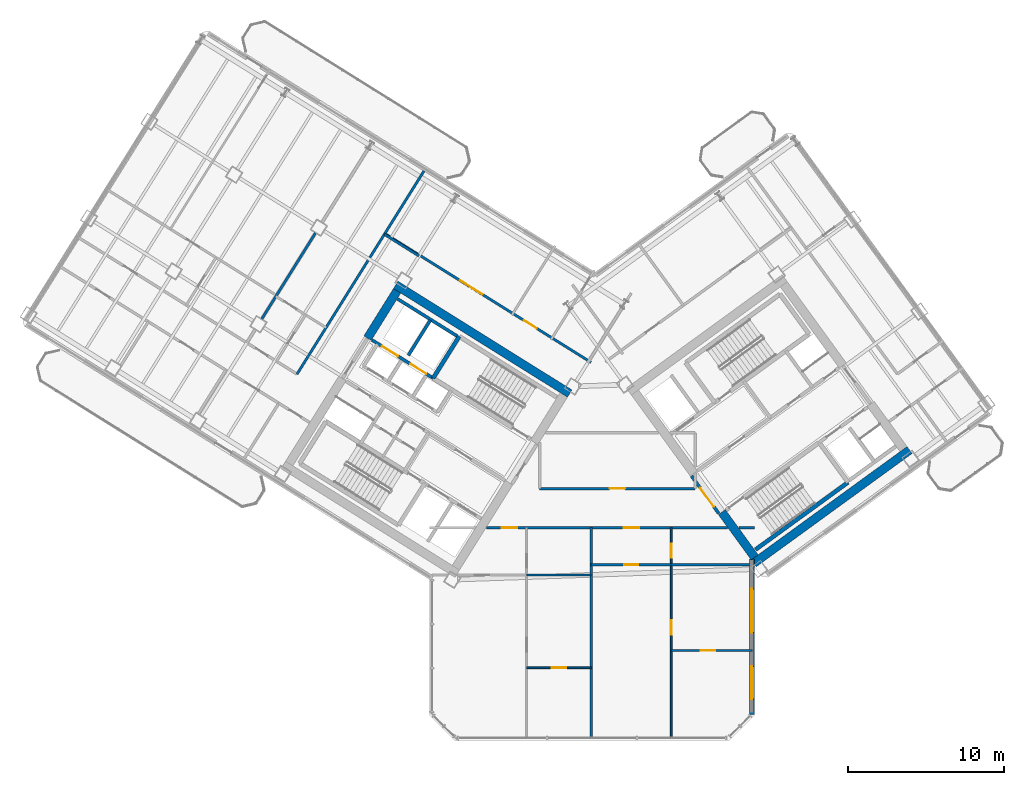
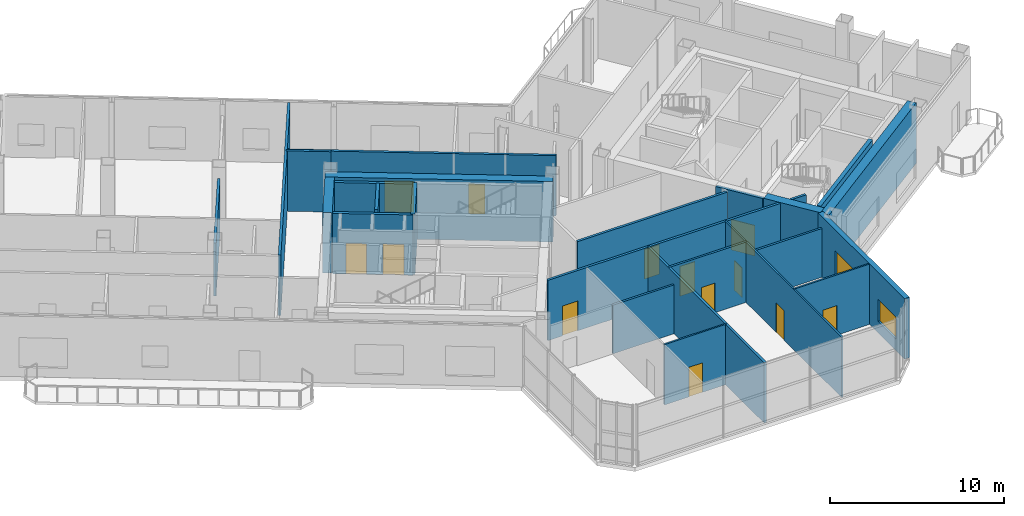
# One storey, part 13 of 21: 25 walls, 13 doors, 2 windows, 15 openings.
"""IFC4 building model written with IfcOpenShell, lengths in metres."""

from ifc_helpers import new_model, si_unit, direction, frame, frame_2d, origin, place, context, subcontext, project, spatial, rectangle, extrude, source, transform, mapped, material, layer, layer_set, type_object, element, fill, save


model = new_model("IFC4")

# Units and contexts
model_context = context("Model", 3, precision=1e-05, world=origin(), true_north=direction((0.0, 1.0)))
body_context = subcontext(model_context, "Body", "Model", "MODEL_VIEW")
ifc_project = project(units=[si_unit("LENGTHUNIT", "METRE"), si_unit("AREAUNIT", "SQUARE_METRE"), si_unit("VOLUMEUNIT", "CUBIC_METRE"), si_unit("PLANEANGLEUNIT", "RADIAN"), si_unit("MASSUNIT", "GRAM", prefix="KILO")], contexts=[model_context])

# Site, building, storey
site_placement = place(None, origin())
site = spatial("IfcSite", under=ifc_project, at=site_placement, CompositionType="ELEMENT")
building_placement = place(site_placement, origin())
building = spatial("IfcBuilding", under=site, at=building_placement, Name="Tlacorven Tower", CompositionType="ELEMENT")
storey_placement = place(building_placement, frame((0.0, 0.0, 199.5)))
storey = spatial("IfcBuildingStorey", under=building, at=storey_placement, Name="L50", CompositionType="ELEMENT", Elevation=199.5)

# Walls
ifc_material_1 = material(Name="Concrete C60/75", Category="concrete")
ifc_layer_1 = layer(ifc_material_1, 0.550048828125)
ifc_layer_set_1 = layer_set([ifc_layer_1], Name="Concrete C60/75")
wall_type_1 = type_object("IfcWallType", Name="WL-COR-550", PredefinedType="SHEAR", material=ifc_layer_set_1)
wall_1_placement = place(storey_placement, frame((40.572998046875, 24.010009765625, 0.0), z_axis=(0.0, 0.0, 1.0), x_axis=(-0.848047359947, 0.529920442413, 0.0)))
element("IfcWall", 1, at=wall_1_placement, inside=storey, type_object=wall_type_1, Name="L50 W core shear wall S1", PredefinedType="SHEAR", context=body_context, shape_type="SweptSolid", body=[
    extrude(rectangle(XDim=13.139892578125, YDim=0.550048828125, at=frame_2d((6.56982421875, 0.0))), origin(), (0.0, 0.0, 1.0), 4.25),
])
wall_2_placement = place(storey_placement, frame((29.517333984375, 30.59423828125, 0.0), z_axis=(0.0, 0.0, 1.0), x_axis=(-0.529906864564, -0.848055844204, 0.0)))
element("IfcWall", 2, at=wall_2_placement, inside=storey, type_object=wall_type_1, Name="L50 W core end wall E2.1", PredefinedType="SHEAR", context=body_context, shape_type="SweptSolid", body=[
    extrude(rectangle(XDim=3.5751953125, YDim=0.550048828125, at=frame_2d((1.78759765625, 0.0))), origin(), (0.0, 0.0, 1.0), 4.25),
])
wall_3_placement = place(storey_placement, frame((52.35888671875, 13.1396484375, 0.0), z_axis=(0.0, 0.0, 1.0), x_axis=(0.809014896919, 0.587788139183, 0.0)))
element("IfcWall", 3, at=wall_3_placement, inside=storey, type_object=wall_type_1, Name="L50 E core shear wall S1", PredefinedType="SHEAR", context=body_context, shape_type="SweptSolid", body=[
    extrude(rectangle(XDim=12.340087890625, YDim=0.550048828125, at=frame_2d((6.169921875, 0.0))), origin(), (0.0, 0.0, 1.0), 4.25),
])
wall_4_placement = place(storey_placement, frame((52.419677734375, 13.52392578125, 0.0), z_axis=(0.0, 0.0, 1.0), x_axis=(-0.587802113096, 0.809004744015, 0.0)))
element("IfcWall", 4, at=wall_4_placement, inside=storey, type_object=wall_type_1, Name="L50 E core end wall E1.1", PredefinedType="SHEAR", context=body_context, shape_type="SweptSolid", body=[
    extrude(rectangle(XDim=3.574951171875, YDim=0.550048828125, at=frame_2d((1.78759765625, 0.0))), origin(), (0.0, 0.0, 1.0), 4.25),
])
ifc_material_2 = material(Name="Gypsum plasterboard acoustic partition", Category="gypsum")
ifc_layer_2 = layer(ifc_material_2, 0.159912109375)
ifc_layer_set_2 = layer_set([ifc_layer_2], Name="Gypsum plasterboard acoustic partition")
wall_type_2 = type_object("IfcWallType", Name="WL-DEM-160", PredefinedType="PARTITIONING", material=ifc_layer_set_2)
wall_5_placement = place(storey_placement, frame((30.91357421875, 32.82861328125, 0.0), z_axis=(0.0, 0.0, 1.0), x_axis=(-0.848008813643, 0.529982124211, 0.0)))
element("IfcWall", 5, at=wall_5_placement, inside=storey, type_object=wall_type_2, Name="L50 partition 45", PredefinedType="PARTITIONING", context=body_context, shape_type="SweptSolid", body=[
    extrude(rectangle(XDim=2.610107421875, YDim=0.159912109375, at=frame_2d((1.30517578125, 0.0))), origin(), (0.0, 0.0, 1.0), 4.239990234375),
])
wall_6_placement = place(storey_placement, frame((31.238525390625, 38.27392578125, 0.0), z_axis=(0.0, 0.0, 1.0), x_axis=(-0.529918877109, -0.848048338059, 0.0)))
element("IfcWall", 6, at=wall_6_placement, inside=storey, type_object=wall_type_2, Name="L50 partition 47", PredefinedType="PARTITIONING", context=body_context, shape_type="SweptSolid", body=[
    extrude(rectangle(XDim=15.35009765625, YDim=0.159912109375, at=frame_2d((7.675048828125, 0.0))), origin(), (0.0, 0.0, 1.0), 4.239990234375),
])
wall_7_placement = place(storey_placement, frame((24.2822265625, 34.29345703125, 0.0), z_axis=(0.0, 0.0, 1.0), x_axis=(-0.529934553702, -0.848038542045, 0.0)))
element("IfcWall", 7, at=wall_7_placement, inside=storey, type_object=wall_type_2, Name="L50 WS Demising Wall 1", PredefinedType="PARTITIONING", context=body_context, shape_type="SweptSolid", body=[
    extrude(rectangle(XDim=6.47607421875, YDim=0.159912109375, at=frame_2d((3.238037109375, 0.0))), origin(), (0.0, 0.0, 1.0), 3.72509765625),
])

# Wall, openings, doors
wall_8_placement = place(storey_placement, frame((41.93603515625, 26.011962890625, 0.0), z_axis=(0.0, 0.0, 1.0), x_axis=(-0.848051154596, 0.529914369676, 0.0)))
wall_8 = element("IfcWall", 8, at=wall_8_placement, inside=storey, type_object=wall_type_2, Name="L50 partition 60", PredefinedType="PARTITIONING", context=body_context, shape_type="SweptSolid", body=[
    extrude(rectangle(XDim=15.56982421875, YDim=0.159912109375, at=frame_2d((7.784912109375, 0.0))), origin(), (0.0, 0.0, 1.0), 4.239990234375),
])
opening_1_placement = place(wall_8_placement, frame((4.10009765625, 0.0, 0.0)))
opening_1 = element("IfcOpeningElement", 9, at=opening_1_placement, cuts=wall_8, Name="Opening D14", PredefinedType="OPENING", context=body_context, shape_type="SweptSolid", body=[
    extrude(rectangle(XDim=0.9599609375, YDim=2.080078125, at=frame_2d((0.47998046875, 1.0400390625))), frame((0.0, 0.08984375, 0.0), z_axis=(0.0, -1.0, 0.0), x_axis=(1.0, 0.0, 0.0)), (0.0, 0.0, 1.0), 0.179931640625),
])
opening_2_placement = place(wall_8_placement, frame((8.199951171875, 0.0, 0.0)))
opening_2 = element("IfcOpeningElement", 10, at=opening_2_placement, cuts=wall_8, Name="Opening D17", PredefinedType="OPENING", context=body_context, shape_type="SweptSolid", body=[
    extrude(rectangle(XDim=1.699951171875, YDim=2.199951171875, at=frame_2d((0.85009765625, 1.10009765625))), frame((0.0, 0.08984375, 0.0), z_axis=(0.0, -1.0, 0.0), x_axis=(1.0, 0.0, 0.0)), (0.0, 0.0, 1.0), 0.179931640625),
])
ifc_material_3 = material(Name="Fire-rated steel door assembly", Category="steel")
door_type_1 = type_object("IfcDoorType", Name="DR-COM-HALL-1700", OperationType="DOUBLE_DOOR_SINGLE_SWING", PredefinedType="DOOR", material=ifc_material_3)
shared_shape_1 = source(origin(), body_context, "Body", "SweptSolid", [
    extrude(rectangle(XDim=1.699951171875, YDim=2.199951171875, at=frame_2d((0.85009765625, 1.10009765625))), frame((0.0, 0.02490234375, 0.0), z_axis=(0.0, -1.0, 0.0), x_axis=(1.0, 0.0, 0.0)), (0.0, 0.0, 1.0), 0.050048828125),
])
door_1_placement = place(opening_2_placement, origin())
door_1 = element("IfcDoor", 11, at=door_1_placement, inside=storey, type_object=door_type_1, Name="L50 door 038", OperationType="DOUBLE_DOOR_SINGLE_SWING", OverallHeight=2.199951171875, OverallWidth=1.699951171875, PredefinedType="DOOR", context=body_context, shape_type="MappedRepresentation", body=[
    mapped(shared_shape_1, transform((0.0, 0.0, 0.0), scale=1.0)),
])
fill(opening_2, door_1)
ifc_material_4 = material(Name="Powder-coated aluminium and timber door", Category="wood")
door_type_2 = type_object("IfcDoorType", Name="DR-INT-AWC-0960", OperationType="NOTDEFINED", PredefinedType="DOOR", material=ifc_material_4)
shared_shape_2 = source(origin(), body_context, "Body", "SweptSolid", [
    extrude(rectangle(XDim=0.9599609375, YDim=2.080078125, at=frame_2d((0.47998046875, 1.0400390625))), frame((0.0, 0.02490234375, 0.0), z_axis=(0.0, -1.0, 0.0), x_axis=(1.0, 0.0, 0.0)), (0.0, 0.0, 1.0), 0.050048828125),
])
door_2_placement = place(opening_1_placement, origin())
door_2 = element("IfcDoor", 12, at=door_2_placement, inside=storey, type_object=door_type_2, Name="L50 door 037", OperationType="SINGLE_SWING_RIGHT", OverallHeight=2.080078125, OverallWidth=0.9599609375, PredefinedType="DOOR", context=body_context, shape_type="MappedRepresentation", body=[
    mapped(shared_shape_2, transform((0.0, 0.0, 0.0), scale=1.0)),
])
fill(opening_1, door_2)

wall_9_placement = place(storey_placement, frame((35.2373046875, 15.419921875, 0.0), z_axis=(0.0, 0.0, 1.0), x_axis=(1.0, 0.0, 0.0)))
wall_9 = element("IfcWall", 13, at=wall_9_placement, inside=storey, type_object=wall_type_2, Name="L50 Knuckle Corridor South Wall", PredefinedType="PARTITIONING", context=body_context, shape_type="SweptSolid", body=[
    extrude(rectangle(XDim=15.431640625, YDim=0.159912109375, at=frame_2d((7.7158203125, 0.0))), origin(), (0.0, 0.0, 1.0), 4.239990234375),
])
opening_3_placement = place(wall_9_placement, frame((0.968994140625, 0.0, 0.0)))
opening_3 = element("IfcOpeningElement", 14, at=opening_3_placement, cuts=wall_9, Name="Opening D11", PredefinedType="OPENING", context=body_context, shape_type="SweptSolid", body=[
    extrude(rectangle(XDim=1.0, YDim=2.10009765625, at=frame_2d((0.5, 1.050048828125))), frame((0.0, 0.08984375, 0.0), z_axis=(0.0, -1.0, 0.0), x_axis=(1.0, 0.0, 0.0)), (0.0, 0.0, 1.0), 0.179931640625),
])
opening_4_placement = place(wall_9_placement, frame((8.798583984375, 0.0, 0.0)))
opening_4 = element("IfcOpeningElement", 15, at=opening_4_placement, cuts=wall_9, Name="Opening D11", PredefinedType="OPENING", context=body_context, shape_type="SweptSolid", body=[
    extrude(rectangle(XDim=1.0, YDim=2.10009765625, at=frame_2d((0.5, 1.050048828125))), frame((0.0, 0.08984375, 0.0), z_axis=(0.0, -1.0, 0.0), x_axis=(1.0, 0.0, 0.0)), (0.0, 0.0, 1.0), 0.179931640625),
])
door_type_3 = type_object("IfcDoorType", Name="DR-FLT-FD60-1000", OperationType="NOTDEFINED", PredefinedType="DOOR", material=ifc_material_3)
shared_shape_3 = source(origin(), body_context, "Body", "SweptSolid", [
    extrude(rectangle(XDim=1.0, YDim=2.10009765625, at=frame_2d((0.5, 1.050048828125))), frame((0.0, 0.02490234375, 0.0), z_axis=(0.0, -1.0, 0.0), x_axis=(1.0, 0.0, 0.0)), (0.0, 0.0, 1.0), 0.050048828125),
])
door_3_placement = place(opening_3_placement, frame((1.0, 0.0, 0.0), z_axis=(0.0, 0.0, 1.0), x_axis=(-1.0, 0.0, 0.0)))
door_3 = element("IfcDoor", 16, at=door_3_placement, inside=storey, type_object=door_type_3, Name="L50 door 044", OperationType="SINGLE_SWING_RIGHT", OverallHeight=2.10009765625, OverallWidth=1.0, PredefinedType="DOOR", context=body_context, shape_type="MappedRepresentation", body=[
    mapped(shared_shape_3, transform((0.0, 0.0, 0.0), scale=1.0)),
])
fill(opening_3, door_3)
door_4_placement = place(opening_4_placement, frame((1.0, 0.0, 0.0), z_axis=(0.0, 0.0, 1.0), x_axis=(-1.0, 0.0, 0.0)))
door_4 = element("IfcDoor", 17, at=door_4_placement, inside=storey, type_object=door_type_3, Name="L50 door 049", OperationType="SINGLE_SWING_LEFT", OverallHeight=2.10009765625, OverallWidth=1.0, PredefinedType="DOOR", context=body_context, shape_type="MappedRepresentation", body=[
    mapped(shared_shape_3, transform((0.0, 0.0, 0.0), scale=1.0)),
])
fill(opening_4, door_4)

# Wall
wall_10_placement = place(storey_placement, frame((51.41552734375, 15.419921875, 0.0), z_axis=(0.0, 0.0, 1.0), x_axis=(1.0, 0.0, 0.0)))
element("IfcWall", 18, at=wall_10_placement, inside=storey, type_object=wall_type_2, Name="L50 Knuckle Corridor South Wall", PredefinedType="PARTITIONING", context=body_context, shape_type="SweptSolid", body=[
    extrude(rectangle(XDim=0.984375, YDim=0.159912109375, at=frame_2d((0.4921875, 0.0))), origin(), (0.0, 0.0, 1.0), 4.239990234375),
])

# Wall, opening, door
wall_11_placement = place(storey_placement, frame((38.64990234375, 17.929931640625, 0.0), z_axis=(0.0, 0.0, 1.0), x_axis=(1.0, 0.0, 0.0)))
wall_11 = element("IfcWall", 19, at=wall_11_placement, inside=storey, type_object=wall_type_2, Name="L50 partition 67", PredefinedType="PARTITIONING", context=body_context, shape_type="SweptSolid", body=[
    extrude(rectangle(XDim=9.9501953125, YDim=0.159912109375, at=frame_2d((4.97509765625, 0.0))), origin(), (0.0, 0.0, 1.0), 4.239990234375),
])
opening_5_placement = place(wall_11_placement, frame((4.47509765625, 0.0, 0.0)))
opening_5 = element("IfcOpeningElement", 20, at=opening_5_placement, cuts=wall_11, Name="Opening D11", PredefinedType="OPENING", context=body_context, shape_type="SweptSolid", body=[
    extrude(rectangle(XDim=1.0, YDim=2.10009765625, at=frame_2d((0.5, 1.050048828125))), frame((0.0, 0.08984375, 0.0), z_axis=(0.0, -1.0, 0.0), x_axis=(1.0, 0.0, 0.0)), (0.0, 0.0, 1.0), 0.179931640625),
])
door_5_placement = place(opening_5_placement, origin())
door_5 = element("IfcDoor", 21, at=door_5_placement, inside=storey, type_object=door_type_3, Name="L50 door 039", OperationType="SINGLE_SWING_LEFT", OverallHeight=2.10009765625, OverallWidth=1.0, PredefinedType="DOOR", context=body_context, shape_type="MappedRepresentation", body=[
    mapped(shared_shape_3, transform((0.0, 0.0, 0.0), scale=1.0)),
])
fill(opening_5, door_5)

# Wall
wall_12_placement = place(storey_placement, frame((41.949951171875, 1.9599609375, 0.0), z_axis=(0.0, 0.0, 1.0), x_axis=(0.0, 1.0, 0.0)))
element("IfcWall", 22, at=wall_12_placement, inside=storey, type_object=wall_type_2, Name="L50 Knuckle Demising Wall 1", PredefinedType="PARTITIONING", context=body_context, shape_type="SweptSolid", body=[
    extrude(rectangle(XDim=13.4599609375, YDim=0.159912109375, at=frame_2d((6.72998046875, 0.0))), origin(), (0.0, 0.0, 1.0), 4.239990234375),
])

# Wall, openings, windows
ifc_material_5 = material(Name="Precast concrete C45/55", Category="concrete")
ifc_layer_3 = layer(ifc_material_5, 0.320068359375)
ifc_layer_set_3 = layer_set([ifc_layer_3], Name="Precast concrete C45/55")
wall_type_3 = type_object("IfcWallType", Name="WL-EXT-320", PredefinedType="STANDARD", material=ifc_layer_set_3)
wall_13_placement = place(storey_placement, frame((52.239990234375, 13.4140625, 0.0), z_axis=(0.0, 0.0, 1.0), x_axis=(0.0, -1.0, 0.0)))
wall_13 = element("IfcWall", 23, at=wall_13_placement, inside=storey, type_object=wall_type_3, Name="L50 Masonry-Frame Recessed Facade Wall 7", PredefinedType="STANDARD", context=body_context, shape_type="SweptSolid", body=[
    extrude(rectangle(XDim=9.94775390625, YDim=0.320068359375, at=frame_2d((4.973876953125, 0.0))), origin(), (0.0, 0.0, 1.0), 4.25),
])
opening_6_placement = place(wall_13_placement, frame((1.91748046875, 0.0, 0.64990234375)))
opening_6 = element("IfcOpeningElement", 24, at=opening_6_placement, cuts=wall_13, Name="Opening WN13", PredefinedType="OPENING", context=body_context, shape_type="SweptSolid", body=[
    extrude(rectangle(XDim=2.800048828125, YDim=2.10009765625, at=frame_2d((1.39990234375, 1.050048828125))), frame((0.0, 0.169921875, 0.0), z_axis=(0.0, -1.0, 0.0), x_axis=(1.0, 0.0, 0.0)), (0.0, 0.0, 1.0), 0.340087890625),
])
opening_7_placement = place(wall_13_placement, frame((6.88330078125, 0.0, 0.800048828125)))
opening_7 = element("IfcOpeningElement", 25, at=opening_7_placement, cuts=wall_13, Name="Opening WN04", PredefinedType="OPENING", context=body_context, shape_type="SweptSolid", body=[
    extrude(rectangle(XDim=2.10009765625, YDim=1.550048828125, at=frame_2d((1.050048828125, 0.77490234375))), frame((0.0, 0.169921875, 0.0), z_axis=(0.0, -1.0, 0.0), x_axis=(1.0, 0.0, 0.0)), (0.0, 0.0, 1.0), 0.340087890625),
])
ifc_material_6 = material(Name="Dark solar low-E double glazing in anodised aluminium frame", Category="aluminium")
window_type_1 = type_object("IfcWindowType", Name="WN-APT-2100X1750", PartitioningType="SINGLE_PANEL", PredefinedType="WINDOW", material=ifc_material_6)
shared_shape_4 = source(origin(), body_context, "Body", "SweptSolid", [
    extrude(rectangle(XDim=2.10009765625, YDim=1.550048828125, at=frame_2d((1.050048828125, 0.77490234375))), frame((0.0, 0.030029296875, 0.0), z_axis=(0.0, -1.0, 0.0), x_axis=(1.0, 0.0, 0.0)), (0.0, 0.0, 1.0), 0.06005859375),
])
window_1_placement = place(opening_7_placement, origin())
window_1 = element("IfcWindow", 26, at=window_1_placement, inside=storey, type_object=window_type_1, Name="L50 Recessed Masonry-Frame Window L50-07.2", OverallHeight=1.550048828125, OverallWidth=2.10009765625, PartitioningType="SINGLE_PANEL", PredefinedType="WINDOW", context=body_context, shape_type="MappedRepresentation", body=[
    mapped(shared_shape_4, transform((0.0, 0.0, 0.0), scale=1.0)),
])
fill(opening_7, window_1)
window_type_2 = type_object("IfcWindowType", Name="WN-SKY-2800X2400", PartitioningType="SINGLE_PANEL", PredefinedType="WINDOW", material=ifc_material_6)
shared_shape_5 = source(origin(), body_context, "Body", "SweptSolid", [
    extrude(rectangle(XDim=2.800048828125, YDim=2.10009765625, at=frame_2d((1.39990234375, 1.050048828125))), frame((0.0, 0.030029296875, 0.0), z_axis=(0.0, -1.0, 0.0), x_axis=(1.0, 0.0, 0.0)), (0.0, 0.0, 1.0), 0.06005859375),
])
window_2_placement = place(opening_6_placement, origin())
window_2 = element("IfcWindow", 27, at=window_2_placement, inside=storey, type_object=window_type_2, Name="L50 Recessed Masonry-Frame Window L50-07.1", OverallHeight=2.10009765625, OverallWidth=2.800048828125, PartitioningType="SINGLE_PANEL", PredefinedType="WINDOW", context=body_context, shape_type="MappedRepresentation", body=[
    mapped(shared_shape_5, transform((0.0, 0.0, 0.0), scale=1.0)),
])
fill(opening_6, window_2)

# Wall, opening, door
ifc_material_7 = material(Name="Gypsum plasterboard partition", Category="gypsum")
ifc_layer_4 = layer(ifc_material_7, 0.110107421875)
ifc_layer_set_4 = layer_set([ifc_layer_4], Name="Gypsum plasterboard partition")
wall_type_4 = type_object("IfcWallType", Name="WL-INT-110", PredefinedType="PARTITIONING", material=ifc_layer_set_4)
wall_14_placement = place(storey_placement, frame((37.81298828125, 6.449951171875, 0.0), z_axis=(0.0, 0.0, 1.0), x_axis=(1.0, 0.0, 0.0)))
wall_14 = element("IfcWall", 28, at=wall_14_placement, inside=storey, type_object=wall_type_4, Name="L50 partition 76", PredefinedType="PARTITIONING", context=body_context, shape_type="SweptSolid", body=[
    extrude(rectangle(XDim=4.136962890625, YDim=0.110107421875, at=frame_2d((2.068359375, 0.0))), origin(), (0.0, 0.0, 1.0), 4.239990234375),
])
opening_8_placement = place(wall_14_placement, frame((1.6083984375, 0.0, 0.0)))
opening_8 = element("IfcOpeningElement", 29, at=opening_8_placement, cuts=wall_14, Name="Opening D12", PredefinedType="OPENING", context=body_context, shape_type="SweptSolid", body=[
    extrude(rectangle(XDim=0.919921875, YDim=2.080078125, at=frame_2d((0.4599609375, 1.0400390625))), frame((0.0, 0.06494140625, 0.0), z_axis=(0.0, -1.0, 0.0), x_axis=(1.0, 0.0, 0.0)), (0.0, 0.0, 1.0), 0.130126953125),
])
door_type_4 = type_object("IfcDoorType", Name="DR-INT-ROOM-0920", OperationType="NOTDEFINED", PredefinedType="DOOR", material=ifc_material_4)
shared_shape_6 = source(origin(), body_context, "Body", "SweptSolid", [
    extrude(rectangle(XDim=0.919921875, YDim=2.080078125, at=frame_2d((0.4599609375, 1.0400390625))), frame((0.0, 0.02490234375, 0.0), z_axis=(0.0, -1.0, 0.0), x_axis=(1.0, 0.0, 0.0)), (0.0, 0.0, 1.0), 0.050048828125),
])
door_6_placement = place(opening_8_placement, origin())
door_6 = element("IfcDoor", 30, at=door_6_placement, inside=storey, type_object=door_type_4, Name="L50 door 043", OperationType="SINGLE_SWING_LEFT", OverallHeight=2.080078125, OverallWidth=0.919921875, PredefinedType="DOOR", context=body_context, shape_type="MappedRepresentation", body=[
    mapped(shared_shape_6, transform((0.0, 0.0, 0.0), scale=1.0)),
])
fill(opening_8, door_6)

# Wall, openings, doors
wall_15_placement = place(storey_placement, frame((47.072021484375, 1.9599609375, 0.0), z_axis=(0.0, 0.0, 1.0), x_axis=(0.0, 1.0, 0.0)))
wall_15 = element("IfcWall", 31, at=wall_15_placement, inside=storey, type_object=wall_type_4, Name="L50 partition 77", PredefinedType="PARTITIONING", context=body_context, shape_type="SweptSolid", body=[
    extrude(rectangle(XDim=13.4599609375, YDim=0.110107421875, at=frame_2d((6.72998046875, 0.0))), origin(), (0.0, 0.0, 1.0), 4.239990234375),
])
opening_9_placement = place(wall_15_placement, frame((6.60009765625, 0.0, 0.0)))
opening_9 = element("IfcOpeningElement", 32, at=opening_9_placement, cuts=wall_15, Name="Opening D12", PredefinedType="OPENING", context=body_context, shape_type="SweptSolid", body=[
    extrude(rectangle(XDim=0.919921875, YDim=2.080078125, at=frame_2d((0.4599609375, 1.0400390625))), frame((0.0, 0.06494140625, 0.0), z_axis=(0.0, -1.0, 0.0), x_axis=(1.0, 0.0, 0.0)), (0.0, 0.0, 1.0), 0.130126953125),
])
opening_10_placement = place(wall_15_placement, frame((11.5400390625, 0.0, 0.0)))
opening_10 = element("IfcOpeningElement", 33, at=opening_10_placement, cuts=wall_15, Name="Opening D13", PredefinedType="OPENING", context=body_context, shape_type="SweptSolid", body=[
    extrude(rectangle(XDim=0.8798828125, YDim=2.080078125, at=frame_2d((0.43994140625, 1.0400390625))), frame((0.0, 0.06494140625, 0.0), z_axis=(0.0, -1.0, 0.0), x_axis=(1.0, 0.0, 0.0)), (0.0, 0.0, 1.0), 0.130126953125),
])
door_type_5 = type_object("IfcDoorType", Name="DR-INT-WET-0880", OperationType="NOTDEFINED", PredefinedType="DOOR", material=ifc_material_4)
shared_shape_7 = source(origin(), body_context, "Body", "SweptSolid", [
    extrude(rectangle(XDim=0.8798828125, YDim=2.080078125, at=frame_2d((0.43994140625, 1.0400390625))), frame((0.0, 0.02490234375, 0.0), z_axis=(0.0, -1.0, 0.0), x_axis=(1.0, 0.0, 0.0)), (0.0, 0.0, 1.0), 0.050048828125),
])
door_7_placement = place(opening_10_placement, origin())
door_7 = element("IfcDoor", 34, at=door_7_placement, inside=storey, type_object=door_type_5, Name="L50 door 051", OperationType="SINGLE_SWING_LEFT", OverallHeight=2.080078125, OverallWidth=0.8798828125, PredefinedType="DOOR", context=body_context, shape_type="MappedRepresentation", body=[
    mapped(shared_shape_7, transform((0.0, 0.0, 0.0), scale=1.0)),
])
fill(opening_10, door_7)
door_8_placement = place(opening_9_placement, origin())
door_8 = element("IfcDoor", 35, at=door_8_placement, inside=storey, type_object=door_type_4, Name="L50 door 047", OperationType="SINGLE_SWING_LEFT", OverallHeight=2.080078125, OverallWidth=0.919921875, PredefinedType="DOOR", context=body_context, shape_type="MappedRepresentation", body=[
    mapped(shared_shape_6, transform((0.0, 0.0, 0.0), scale=1.0)),
])
fill(opening_9, door_8)

# Wall, opening, door
wall_16_placement = place(storey_placement, frame((47.072021484375, 7.550048828125, 0.0), z_axis=(0.0, 0.0, 1.0), x_axis=(1.0, 0.0, 0.0)))
wall_16 = element("IfcWall", 36, at=wall_16_placement, inside=storey, type_object=wall_type_4, Name="L50 partition 80", PredefinedType="PARTITIONING", context=body_context, shape_type="SweptSolid", body=[
    extrude(rectangle(XDim=5.18798828125, YDim=0.110107421875, at=frame_2d((2.593994140625, 0.0))), origin(), (0.0, 0.0, 1.0), 4.239990234375),
])
opening_11_placement = place(wall_16_placement, frame((1.904052734375, 0.0, 0.0)))
opening_11 = element("IfcOpeningElement", 37, at=opening_11_placement, cuts=wall_16, Name="Opening D12", PredefinedType="OPENING", context=body_context, shape_type="SweptSolid", body=[
    extrude(rectangle(XDim=0.919921875, YDim=2.080078125, at=frame_2d((0.4599609375, 1.0400390625))), frame((0.0, 0.06494140625, 0.0), z_axis=(0.0, -1.0, 0.0), x_axis=(1.0, 0.0, 0.0)), (0.0, 0.0, 1.0), 0.130126953125),
])
door_9_placement = place(opening_11_placement, origin())
door_9 = element("IfcDoor", 38, at=door_9_placement, inside=storey, type_object=door_type_4, Name="L50 door 048", OperationType="SINGLE_SWING_RIGHT", OverallHeight=2.080078125, OverallWidth=0.919921875, PredefinedType="DOOR", context=body_context, shape_type="MappedRepresentation", body=[
    mapped(shared_shape_6, transform((0.0, 0.0, 0.0), scale=1.0)),
])
fill(opening_11, door_9)

# Wall
ifc_material_8 = material(Name="Moisture-resistant gypsum plumbing wall", Category="gypsum")
ifc_layer_5 = layer(ifc_material_8, 0.139892578125)
ifc_layer_set_5 = layer_set([ifc_layer_5], Name="Moisture-resistant gypsum plumbing wall")
wall_type_5 = type_object("IfcWallType", Name="WL-PLM-140", PredefinedType="PLUMBINGWALL", material=ifc_layer_set_5)
wall_17_placement = place(storey_placement, frame((37.81298828125, 12.389892578125, 0.0), z_axis=(0.0, 0.0, 1.0), x_axis=(1.0, 0.0, 0.0)))
element("IfcWall", 39, at=wall_17_placement, inside=storey, type_object=wall_type_5, Name="L50 partition 75", PredefinedType="PLUMBINGWALL", context=body_context, shape_type="SweptSolid", body=[
    extrude(rectangle(XDim=4.136962890625, YDim=0.139892578125, at=frame_2d((2.068359375, 0.0))), origin(), (0.0, 0.0, 1.0), 3.425048828125),
])

# Wall, opening, door
wall_18_placement = place(storey_placement, frame((41.949951171875, 13.0400390625, 0.0), z_axis=(0.0, 0.0, 1.0), x_axis=(1.0, 0.0, 0.0)))
wall_18 = element("IfcWall", 40, at=wall_18_placement, inside=storey, type_object=wall_type_5, Name="L50 partition 78", PredefinedType="PLUMBINGWALL", context=body_context, shape_type="SweptSolid", body=[
    extrude(rectangle(XDim=5.1220703125, YDim=0.139892578125, at=frame_2d((2.56103515625, 0.0))), origin(), (0.0, 0.0, 1.0), 4.239990234375),
])
opening_12_placement = place(wall_18_placement, frame((2.10107421875, 0.0, 0.0)))
opening_12 = element("IfcOpeningElement", 41, at=opening_12_placement, cuts=wall_18, Name="Opening D12", PredefinedType="OPENING", context=body_context, shape_type="SweptSolid", body=[
    extrude(rectangle(XDim=0.919921875, YDim=2.080078125, at=frame_2d((0.4599609375, 1.0400390625))), frame((0.0, 0.080078125, 0.0), z_axis=(0.0, -1.0, 0.0), x_axis=(1.0, 0.0, 0.0)), (0.0, 0.0, 1.0), 0.159912109375),
])
door_10_placement = place(opening_12_placement, frame((0.919921875, 0.0, 0.0), z_axis=(0.0, 0.0, 1.0), x_axis=(-1.0, 0.0, 0.0)))
door_10 = element("IfcDoor", 42, at=door_10_placement, inside=storey, type_object=door_type_4, Name="L50 door 050", OperationType="SINGLE_SWING_RIGHT", OverallHeight=2.080078125, OverallWidth=0.919921875, PredefinedType="DOOR", context=body_context, shape_type="MappedRepresentation", body=[
    mapped(shared_shape_6, transform((0.0, 0.0, 0.0), scale=1.0)),
])
fill(opening_12, door_10)

# Wall
wall_19_placement = place(storey_placement, frame((47.072021484375, 13.0400390625, 0.0), z_axis=(0.0, 0.0, 1.0), x_axis=(1.0, 0.0, 0.0)))
element("IfcWall", 43, at=wall_19_placement, inside=storey, type_object=wall_type_5, Name="L50 partition 79", PredefinedType="PLUMBINGWALL", context=body_context, shape_type="SweptSolid", body=[
    extrude(rectangle(XDim=5.18798828125, YDim=0.139892578125, at=frame_2d((2.593994140625, 0.0))), origin(), (0.0, 0.0, 1.0), 3.425048828125),
])

# Wall, openings, doors
ifc_material_9 = material(Name="Concrete C40/50", Category="concrete")
ifc_layer_6 = layer(ifc_material_9, 0.199951171875)
ifc_layer_set_6 = layer_set([ifc_layer_6], Name="Concrete C40/50")
wall_type_6 = type_object("IfcWallType", Name="WL-SHF-200", PredefinedType="STANDARD", material=ifc_layer_set_6)
wall_20_placement = place(storey_placement, frame((31.82177734375, 24.99755859375, 0.0), z_axis=(0.0, 0.0, 1.0), x_axis=(-0.848036912365, 0.52993716162, 0.0)))
wall_20 = element("IfcWall", 44, at=wall_20_placement, inside=storey, type_object=wall_type_6, Name="L50 Core W South Lift Shaft Wall", PredefinedType="STANDARD", context=body_context, shape_type="SweptSolid", body=[
    extrude(rectangle(XDim=4.617919921875, YDim=0.199951171875, at=frame_2d((2.30908203125, 0.0))), origin(), (0.0, 0.0, 1.0), 4.239990234375),
])
opening_13_placement = place(wall_20_placement, frame((0.52001953125, 0.0, 0.0)))
opening_13 = element("IfcOpeningElement", 45, at=opening_13_placement, cuts=wall_20, Name="Opening LD02", PredefinedType="OPENING", context=body_context, shape_type="SweptSolid", body=[
    extrude(rectangle(XDim=1.199951171875, YDim=2.14990234375, at=frame_2d((0.60009765625, 1.074951171875))), frame((0.0, 0.10986328125, 0.0), z_axis=(0.0, -1.0, 0.0), x_axis=(1.0, 0.0, 0.0)), (0.0, 0.0, 1.0), 0.219970703125),
])
opening_14_placement = place(wall_20_placement, frame((2.659912109375, 0.0, 0.0)))
opening_14 = element("IfcOpeningElement", 46, at=opening_14_placement, cuts=wall_20, Name="Opening LD02", PredefinedType="OPENING", context=body_context, shape_type="SweptSolid", body=[
    extrude(rectangle(XDim=1.199951171875, YDim=2.14990234375, at=frame_2d((0.60009765625, 1.074951171875))), frame((0.0, 0.10986328125, 0.0), z_axis=(0.0, -1.0, 0.0), x_axis=(1.0, 0.0, 0.0)), (0.0, 0.0, 1.0), 0.219970703125),
])
door_type_6 = type_object("IfcDoorType", Name="DR-LFT-SLID-1200", OperationType="DOUBLE_DOOR_SLIDING", PredefinedType="DOOR", material=ifc_material_3)
shared_shape_8 = source(origin(), body_context, "Body", "SweptSolid", [
    extrude(rectangle(XDim=1.199951171875, YDim=2.14990234375, at=frame_2d((0.60009765625, 1.074951171875))), frame((0.0, 0.02490234375, 0.0), z_axis=(0.0, -1.0, 0.0), x_axis=(1.0, 0.0, 0.0)), (0.0, 0.0, 1.0), 0.050048828125),
])
door_11_placement = place(opening_13_placement, origin())
door_11 = element("IfcDoor", 47, at=door_11_placement, inside=storey, type_object=door_type_6, Name="L50 Lift PL-H1 Sliding Landing Door", OperationType="DOUBLE_DOOR_SLIDING", OverallHeight=2.14990234375, OverallWidth=1.199951171875, PredefinedType="DOOR", context=body_context, shape_type="MappedRepresentation", body=[
    mapped(shared_shape_8, transform((0.0, 0.0, 0.0), scale=1.0)),
])
fill(opening_13, door_11)
door_12_placement = place(opening_14_placement, origin())
door_12 = element("IfcDoor", 48, at=door_12_placement, inside=storey, type_object=door_type_6, Name="L50 Lift PL-H2 Sliding Landing Door", OperationType="DOUBLE_DOOR_SLIDING", OverallHeight=2.14990234375, OverallWidth=1.199951171875, PredefinedType="DOOR", context=body_context, shape_type="MappedRepresentation", body=[
    mapped(shared_shape_8, transform((0.0, 0.0, 0.0), scale=1.0)),
])
fill(opening_14, door_12)

# Walls
wall_21_placement = place(storey_placement, frame((31.645263671875, 28.716064453125, 0.0), z_axis=(0.0, 0.0, 1.0), x_axis=(-0.52986693015, -0.848080795876, 0.0)))
element("IfcWall", 49, at=wall_21_placement, inside=storey, type_object=wall_type_6, Name="L50 partition 15", PredefinedType="STANDARD", context=body_context, shape_type="SweptSolid", body=[
    extrude(rectangle(XDim=2.659912109375, YDim=0.199951171875, at=frame_2d((1.330078125, 0.0))), origin(), (0.0, 0.0, 1.0), 4.239990234375),
])
wall_22_placement = place(storey_placement, frame((33.362548828125, 27.690185546875, 0.0), z_axis=(0.0, 0.0, 1.0), x_axis=(-0.848047090064, 0.529920874315, 0.0)))
element("IfcWall", 50, at=wall_22_placement, inside=storey, type_object=wall_type_6, Name="L50 partition 17", PredefinedType="STANDARD", context=body_context, shape_type="SweptSolid", body=[
    extrude(rectangle(XDim=4.498046875, YDim=0.199951171875, at=frame_2d((2.2490234375, 0.0))), origin(), (0.0, 0.0, 1.0), 4.239990234375),
])

# Wall, opening, door
wall_23_placement = place(storey_placement, frame((50.119140625, 16.3330078125, 0.0), z_axis=(0.0, 0.0, 1.0), x_axis=(-0.587749856981, 0.809042709391, 0.0)))
wall_23 = element("IfcWall", 51, at=wall_23_placement, inside=storey, type_object=wall_type_6, Name="L50 partition 71", PredefinedType="STANDARD", context=body_context, shape_type="SweptSolid", body=[
    extrude(rectangle(XDim=2.9599609375, YDim=0.199951171875, at=frame_2d((1.47998046875, 0.0))), origin(), (0.0, 0.0, 1.0), 4.239990234375),
])
opening_15_placement = place(wall_23_placement, frame((0.530029296875, 0.0, 0.0)))
opening_15 = element("IfcOpeningElement", 52, at=opening_15_placement, cuts=wall_23, Name="Opening D10", PredefinedType="OPENING", context=body_context, shape_type="SweptSolid", body=[
    extrude(rectangle(XDim=1.5, YDim=2.14990234375, at=frame_2d((0.75, 1.074951171875))), frame((0.0, 0.10986328125, 0.0), z_axis=(0.0, -1.0, 0.0), x_axis=(1.0, 0.0, 0.0)), (0.0, 0.0, 1.0), 0.219970703125),
])
door_type_7 = type_object("IfcDoorType", Name="DR-LOB-FD60-1500", OperationType="DOUBLE_DOOR_SINGLE_SWING", PredefinedType="DOOR", material=ifc_material_3)
shared_shape_9 = source(origin(), body_context, "Body", "SweptSolid", [
    extrude(rectangle(XDim=1.5, YDim=2.14990234375, at=frame_2d((0.75, 1.074951171875))), frame((0.0, 0.02490234375, 0.0), z_axis=(0.0, -1.0, 0.0), x_axis=(1.0, 0.0, 0.0)), (0.0, 0.0, 1.0), 0.050048828125),
])
door_13_placement = place(opening_15_placement, frame((1.5, 0.0, 0.0), z_axis=(0.0, 0.0, 1.0), x_axis=(-1.0, 0.0, 0.0)))
door_13 = element("IfcDoor", 53, at=door_13_placement, inside=storey, type_object=door_type_7, Name="L50 door 041", OperationType="DOUBLE_DOOR_SINGLE_SWING", OverallHeight=2.14990234375, OverallWidth=1.5, PredefinedType="DOOR", context=body_context, shape_type="MappedRepresentation", body=[
    mapped(shared_shape_9, transform((0.0, 0.0, 0.0), scale=1.0)),
])
fill(opening_15, door_13)

# Walls
ifc_material_10 = material(Name="Concrete C50/60", Category="concrete")
ifc_layer_7 = layer(ifc_material_10, 0.260009765625)
ifc_layer_set_7 = layer_set([ifc_layer_7], Name="Concrete C50/60")
wall_type_7 = type_object("IfcWallType", Name="WL-STW-260", PredefinedType="SHEAR", material=ifc_layer_set_7)
wall_24_placement = place(storey_placement, frame((33.496337890625, 27.677490234375, 0.0), z_axis=(0.0, 0.0, 1.0), x_axis=(-0.529908658664, -0.84805472316, 0.0)))
element("IfcWall", 54, at=wall_24_placement, inside=storey, type_object=wall_type_7, Name="L50 Stair W2 East Shear Wall", PredefinedType="SHEAR", context=body_context, shape_type="SweptSolid", body=[
    extrude(rectangle(XDim=3.16015625, YDim=0.260009765625, at=frame_2d((1.580078125, 0.0))), origin(), (0.0, 0.0, 1.0), 4.25),
])
wall_25_placement = place(storey_placement, frame((52.47216796875, 14.01318359375, 0.0), z_axis=(0.0, 0.0, 1.0), x_axis=(0.809028366311, 0.587769599847, 0.0)))
element("IfcWall", 55, at=wall_25_placement, inside=storey, type_object=wall_type_7, Name="L50 Stair E2 Far Shear Wall", PredefinedType="SHEAR", context=body_context, shape_type="SweptSolid", body=[
    extrude(rectangle(XDim=7.330078125, YDim=0.260009765625, at=frame_2d((3.6650390625, 0.0))), origin(), (0.0, 0.0, 1.0), 4.25),
])

save(model, "model.ifc")
